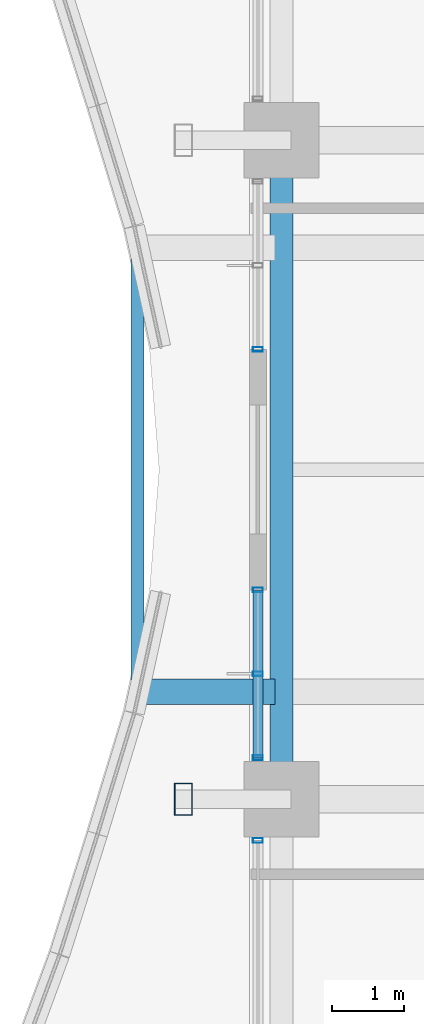
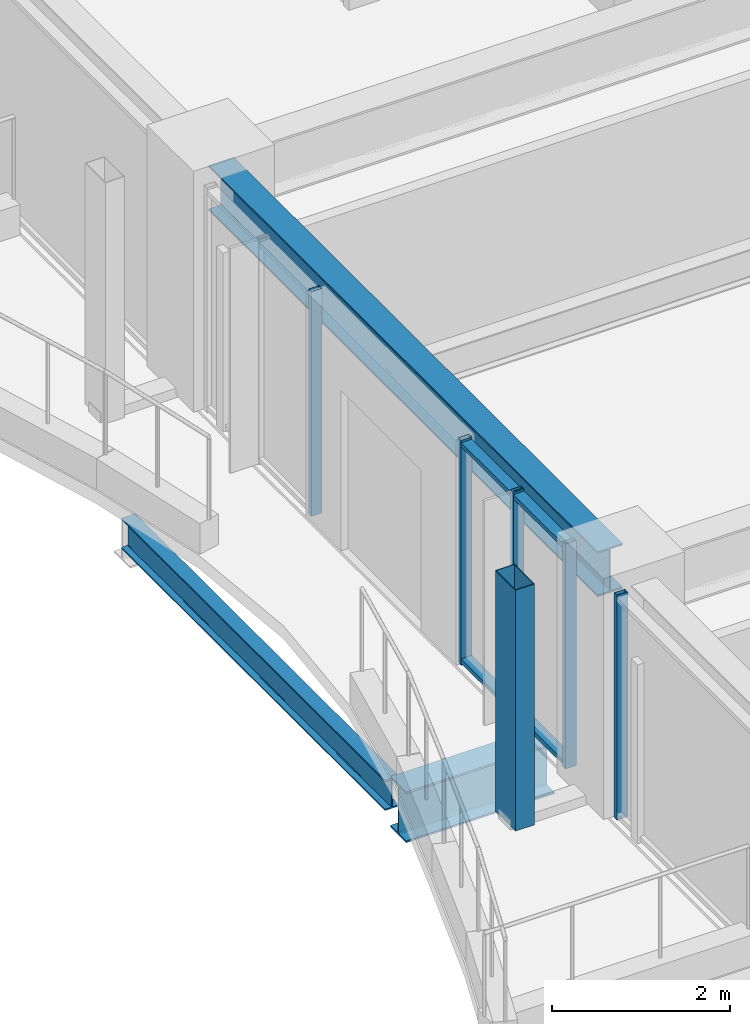
# One storey, part 7 of 37: 8 members, 3 beams, 3 elements without a shape of their own.
"""IFC4 building model written with IfcOpenShell, lengths in metres."""

from ifc_helpers import new_model, si_unit, direction, frame, origin, origin_2d, place, context, subcontext, project, spatial, hollow_rectangle, i_section, extrude, material, material_profile, profile_set, type_object, element, aggregate, save


model = new_model("IFC4")

# Units and contexts
model_context = context("Model", 3, precision=1e-05, world=origin(), true_north=direction((0.0, 1.0)))
body_context = subcontext(model_context, "Body", "Model", "MODEL_VIEW")
ifc_project = project(units=[si_unit("LENGTHUNIT", "METRE"), si_unit("AREAUNIT", "SQUARE_METRE"), si_unit("VOLUMEUNIT", "CUBIC_METRE"), si_unit("PLANEANGLEUNIT", "RADIAN"), si_unit("MASSUNIT", "GRAM", prefix="KILO")], contexts=[model_context])

# Site, building, storey
site_placement = place(None, origin())
site = spatial("IfcSite", under=ifc_project, at=site_placement, CompositionType="ELEMENT")
building_placement = place(site_placement, origin())
building = spatial("IfcBuilding", under=site, at=building_placement, Name="Kolvaren Belvedere", CompositionType="ELEMENT")
storey_placement = place(building_placement, frame((0.0, 0.0, 82.10009765625)))
storey = spatial("IfcBuildingStorey", under=building, at=storey_placement, Name="L23", CompositionType="ELEMENT", Elevation=82.10009765625)

# Beams
ifc_material_1 = material(Name="Structural steel ASTM A992 Grade 50", Category="steel")
ifc_material_profile_1 = material_profile(ifc_material_1, i_section(OverallWidth=0.35498046875, OverallDepth=0.696044921875, WebThickness=0.015380859375, FlangeThickness=0.02490234375, FilletRadius=0.02197265625, at=origin_2d()), Name="W27X146")
ifc_profile_set_1 = profile_set([ifc_material_profile_1], Name="Structural steel ASTM A992 Grade 50")
beam_type_1 = type_object("IfcBeamType", Name="BM-CANT-BAL", PredefinedType="BEAM", material=ifc_profile_set_1)
beam_1_placement = place(storey_placement, frame((-20.044921875, -3.10009765625, -0.568115234375), z_axis=(-1.0, 0.0, 0.0), x_axis=(0.0, -1.0, 0.0)))
element("IfcBeam", 1, at=beam_1_placement, inside=storey, type_object=beam_type_1, Name="L23 Planted Balcony Cantilever BAL-W-1", PredefinedType="BEAM", context=body_context, shape_type="SweptSolid", body=[
    extrude(i_section(OverallWidth=0.35498046875, OverallDepth=0.696044921875, WebThickness=0.015380859375, FlangeThickness=0.02490234375, FilletRadius=0.02197265625, at=origin_2d()), origin(), (0.0, 0.0, 1.0), 1.91943359375),
])
ifc_material_2 = material(Name="Structural steel ASTM A992 Grade 50", Category="steel")
ifc_material_profile_2 = material_profile(ifc_material_2, i_section(OverallWidth=0.180908203125, OverallDepth=0.4169921875, WebThickness=0.010986328125, FlangeThickness=0.018310546875, FilletRadius=0.013916015625, at=origin_2d()), Name="W16X57")
ifc_profile_set_2 = profile_set([ifc_material_profile_2], Name="Structural steel ASTM A992 Grade 50")
beam_type_2 = type_object("IfcBeamType", Name="BM-EDGE-W16X57", PredefinedType="BEAM", material=ifc_profile_set_2)
beam_2_placement = place(storey_placement, frame((-21.96435546875, -2.9599609375, -0.4287109375), z_axis=(0.0, 1.0, 0.0), x_axis=(-1.0, 0.0, 0.0)))
element("IfcBeam", 2, at=beam_2_placement, inside=storey, type_object=beam_type_2, Name="L23 Balcony Tip Header Beam BAL-W", PredefinedType="BEAM", context=body_context, shape_type="SweptSolid", body=[
    extrude(i_section(OverallWidth=0.180908203125, OverallDepth=0.4169921875, WebThickness=0.010986328125, FlangeThickness=0.018310546875, FilletRadius=0.013916015625, at=origin_2d()), origin(), (0.0, 0.0, 1.0), 5.919921875),
])
ifc_material_3 = material(Name="Structural steel ASTM A992 Grade 50", Category="steel")
ifc_material_profile_3 = material_profile(ifc_material_3, i_section(OverallWidth=0.324951171875, OverallDepth=0.615966796875, WebThickness=0.013916015625, FlangeThickness=0.021484375, FilletRadius=0.02001953125, at=origin_2d()), Name="W24X117")
ifc_profile_set_3 = profile_set([ifc_material_profile_3], Name="Structural steel ASTM A992 Grade 50")
beam_type_3 = type_object("IfcBeamType", Name="BM-SPAN-W24X117", PredefinedType="SPANDREL", material=ifc_profile_set_3)
beam_3_placement = place(storey_placement, frame((-19.949951171875, 4.36376953125, 2.77197265625), z_axis=(0.0, -1.0, 0.0), x_axis=(1.0, 0.0, 0.0)))
element("IfcBeam", 3, at=beam_3_placement, inside=storey, type_object=beam_type_3, Name="L23 Perimeter Spandrel W3-W2", PredefinedType="SPANDREL", context=body_context, shape_type="SweptSolid", body=[
    extrude(i_section(OverallWidth=0.324951171875, OverallDepth=0.615966796875, WebThickness=0.013916015625, FlangeThickness=0.021484375, FilletRadius=0.02001953125, at=origin_2d()), origin(), (0.0, 0.0, 1.0), 8.7275390625),
])

# Curtain wall, member
ifc_material_4 = material(Name="Anodised pale-metal aluminium AA 6063-T6", Category="aluminium")
curtain_wall_type = type_object("IfcCurtainWallType", Name="CW-Z2-MID", PredefinedType="NOTDEFINED", material=ifc_material_4)
curtain_wall_1_placement = place(storey_placement, origin())
curtain_wall_1 = element("IfcCurtainWall", 4, at=curtain_wall_1_placement, inside=storey, type_object=curtain_wall_type, Name="L23 Unitised Curtain Wall FCW-L23-W1-B1", PredefinedType="NOTDEFINED")
ifc_material_5 = material(Name="Anodised pale-metal aluminium AA 6063-T6", Category="aluminium")
ifc_material_profile_4 = material_profile(ifc_material_5, hollow_rectangle(XDim=0.06494140625, YDim=0.139892578125, WallThickness=0.00390625, at=origin_2d()), Name="ALU-MUL-140X65")
ifc_profile_set_4 = profile_set([ifc_material_profile_4], Name="Anodised pale-metal aluminium AA 6063-T6")
member_type_1 = type_object("IfcMemberType", Name="CW-MUL-140", PredefinedType="MULLION", material=ifc_profile_set_4)
member_1_placement = place(storey_placement, frame((-20.280029296875, -5.177490234375, 0.0), z_axis=(0.0, 0.0, 1.0), x_axis=(0.0, 1.0, 0.0)))
member_1 = element("IfcMember", 5, at=member_1_placement, type_object=member_type_1, Name="FCW-L23-W1-B1 Unitised Mullion 3", PredefinedType="MULLION", context=body_context, shape_type="SweptSolid", body=[
    extrude(hollow_rectangle(XDim=0.06494140625, YDim=0.139892578125, WallThickness=0.00390625, at=origin_2d()), origin(), (0.0, 0.0, 1.0), 3.079833984375),
])
aggregate(curtain_wall_1, [member_1])

# Curtain wall, members
curtain_wall_2_placement = place(storey_placement, origin())
curtain_wall_2 = element("IfcCurtainWall", 6, at=curtain_wall_2_placement, inside=storey, type_object=curtain_wall_type, Name="L23 Unitised Curtain Wall FCW-L23-W1-B2", PredefinedType="NOTDEFINED")
member_2_placement = place(storey_placement, frame((-20.280029296875, -4.0224609375, 0.0), z_axis=(0.0, 0.0, 1.0), x_axis=(0.0, 1.0, 0.0)))
member_2 = element("IfcMember", 7, at=member_2_placement, type_object=member_type_1, Name="FCW-L23-W1-B2 Unitised Mullion 1", PredefinedType="MULLION", context=body_context, shape_type="SweptSolid", body=[
    extrude(hollow_rectangle(XDim=0.06494140625, YDim=0.139892578125, WallThickness=0.00390625, at=origin_2d()), origin(), (0.0, 0.0, 1.0), 3.079833984375),
])
member_3_placement = place(storey_placement, frame((-20.280029296875, -2.851318359375, 0.0), z_axis=(0.0, 0.0, 1.0), x_axis=(0.0, 1.0, 0.0)))
member_3 = element("IfcMember", 8, at=member_3_placement, type_object=member_type_1, Name="FCW-L23-W1-B2 Unitised Mullion 2", PredefinedType="MULLION", context=body_context, shape_type="SweptSolid", body=[
    extrude(hollow_rectangle(XDim=0.06494140625, YDim=0.139892578125, WallThickness=0.00390625, at=origin_2d()), origin(), (0.0, 0.0, 1.0), 3.079833984375),
])
member_4_placement = place(storey_placement, frame((-20.280029296875, -1.679931640625, 0.0), z_axis=(0.0, 0.0, 1.0), x_axis=(0.0, 1.0, 0.0)))
member_4 = element("IfcMember", 9, at=member_4_placement, type_object=member_type_1, Name="FCW-L23-W1-B2 Unitised Mullion 3", PredefinedType="MULLION", context=body_context, shape_type="SweptSolid", body=[
    extrude(hollow_rectangle(XDim=0.06494140625, YDim=0.139892578125, WallThickness=0.00390625, at=origin_2d()), origin(), (0.0, 0.0, 1.0), 3.079833984375),
])

# Curtain wall, member
curtain_wall_3_placement = place(storey_placement, origin())
curtain_wall_3 = element("IfcCurtainWall", 10, at=curtain_wall_3_placement, inside=storey, type_object=curtain_wall_type, Name="L23 Unitised Curtain Wall FCW-L23-W2-B1", PredefinedType="NOTDEFINED")
member_5_placement = place(storey_placement, frame((-20.280029296875, 1.679931640625, 0.0), z_axis=(0.0, 0.0, 1.0), x_axis=(0.0, 1.0, 0.0)))
member_5 = element("IfcMember", 11, at=member_5_placement, type_object=member_type_1, Name="FCW-L23-W2-B1 Unitised Mullion 1", PredefinedType="MULLION", context=body_context, shape_type="SweptSolid", body=[
    extrude(hollow_rectangle(XDim=0.06494140625, YDim=0.139892578125, WallThickness=0.00390625, at=origin_2d()), origin(), (0.0, 0.0, 1.0), 3.079833984375),
])
aggregate(curtain_wall_3, [member_5])

# Member
ifc_material_6 = material(Name="Anodised pale-metal aluminium AA 6063-T6", Category="aluminium")
ifc_material_profile_5 = material_profile(ifc_material_6, hollow_rectangle(XDim=0.06005859375, YDim=0.139892578125, WallThickness=0.00390625, at=origin_2d()), Name="ALU-TRN-140X60")
ifc_profile_set_5 = profile_set([ifc_material_profile_5], Name="Anodised pale-metal aluminium AA 6063-T6")
member_type_2 = type_object("IfcMemberType", Name="CW-TRN-140", PredefinedType="USERDEFINED", material=ifc_profile_set_5)
member_6_placement = place(storey_placement, frame((-20.280029296875, -4.0224609375, 0.059814453125), z_axis=(0.0, 1.0, 0.0), x_axis=(0.0, 0.0, 1.0)))
member_6 = element("IfcMember", 12, at=member_6_placement, type_object=member_type_2, Name="FCW-L23-W1-B2 Sill Transom", ObjectType="TRANSOM", PredefinedType="USERDEFINED", context=body_context, shape_type="SweptSolid", body=[
    extrude(hollow_rectangle(XDim=0.06005859375, YDim=0.139892578125, WallThickness=0.00390625, at=origin_2d()), origin(), (0.0, 0.0, 1.0), 2.342529296875),
])

member_7_placement = place(storey_placement, frame((-20.280029296875, -4.0224609375, 3.02001953125), z_axis=(0.0, 1.0, 0.0), x_axis=(0.0, 0.0, 1.0)))
member_7 = element("IfcMember", 13, at=member_7_placement, type_object=member_type_2, Name="FCW-L23-W1-B2 Head Transom", ObjectType="TRANSOM", PredefinedType="USERDEFINED", context=body_context, shape_type="SweptSolid", body=[
    extrude(hollow_rectangle(XDim=0.06005859375, YDim=0.139892578125, WallThickness=0.00390625, at=origin_2d()), origin(), (0.0, 0.0, 1.0), 2.342529296875),
])

aggregate(curtain_wall_2, [member_2, member_3, member_4, member_6, member_7])

ifc_material_7 = material(Name="Anodised pale-metal aluminium AA 6063-T6", Category="aluminium")
ifc_material_profile_6 = material_profile(ifc_material_7, hollow_rectangle(XDim=0.25, YDim=0.449951171875, WallThickness=0.008544921875, at=origin_2d()), Name="ALU-PF-450X250")
ifc_profile_set_6 = profile_set([ifc_material_profile_6], Name="Anodised pale-metal aluminium AA 6063-T6")
member_type_3 = type_object("IfcMemberType", Name="PF-FRAME-450", PredefinedType="USERDEFINED", material=ifc_profile_set_6)
member_8_placement = place(storey_placement, frame((-21.320068359375, -4.60009765625, 0.0), z_axis=(0.0, 0.0, 1.0), x_axis=(1.0, 0.0, 0.0)))
element("IfcMember", 14, at=member_8_placement, inside=storey, type_object=member_type_3, Name="L23 Outboard Picture-Frame Vertical W1", ObjectType="PICTURE FRAME FIN", PredefinedType="USERDEFINED", context=body_context, shape_type="SweptSolid", body=[
    extrude(hollow_rectangle(XDim=0.25, YDim=0.449951171875, WallThickness=0.008544921875, at=origin_2d()), origin(), (0.0, 0.0, 1.0), 3.2998046875),
])

save(model, "model.ifc")
